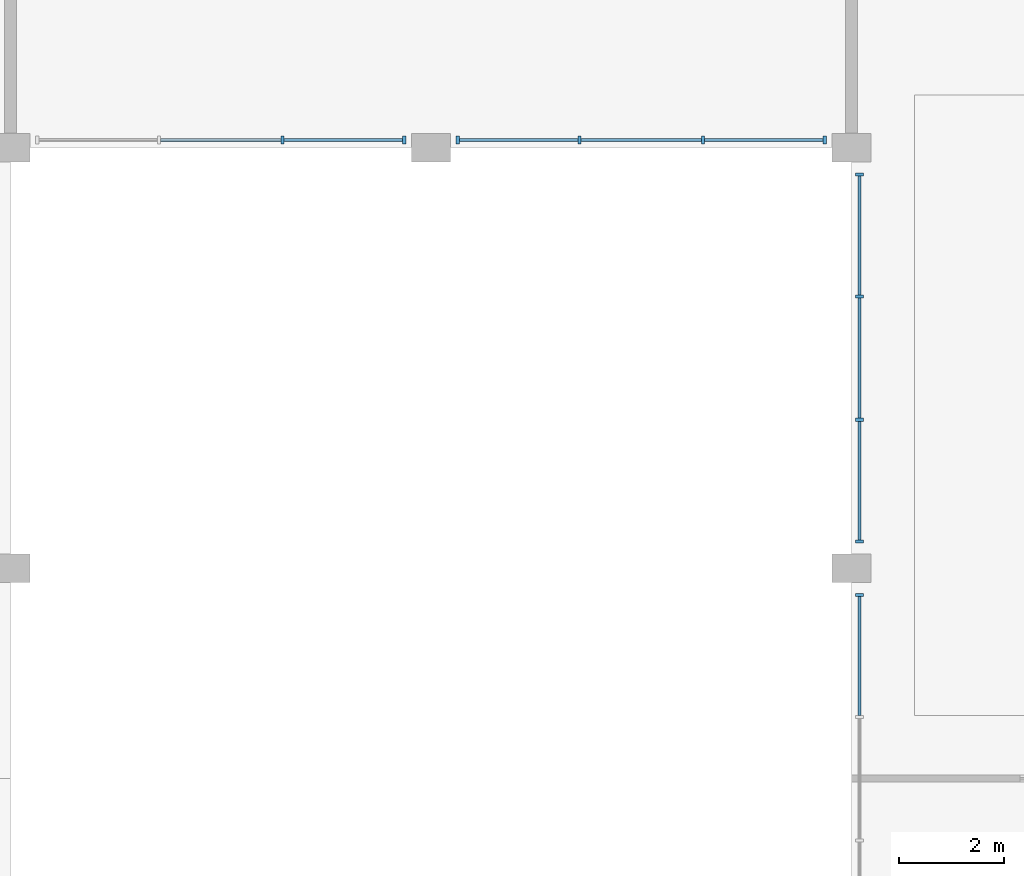
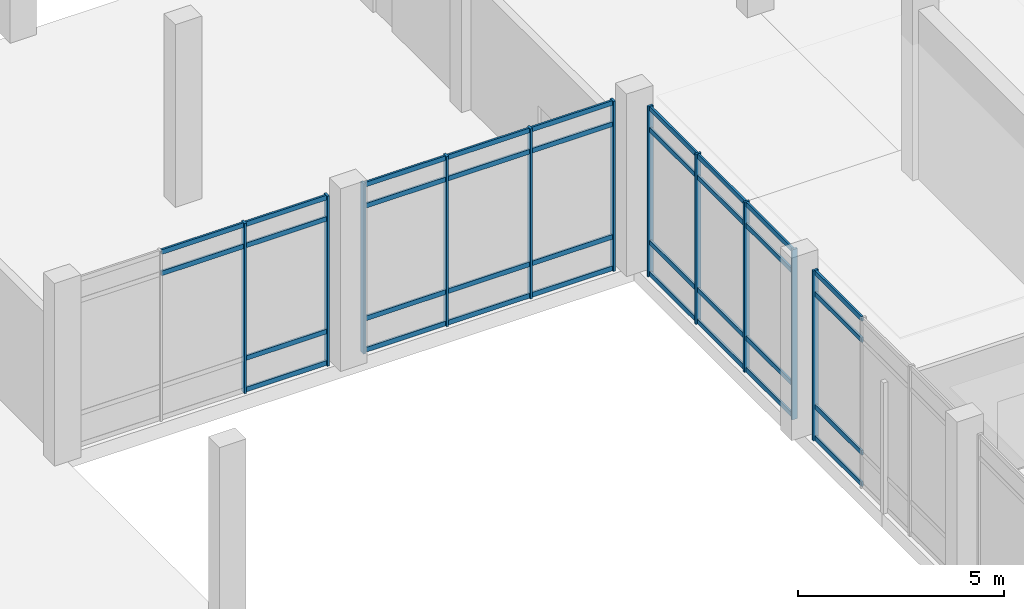
# One storey, part 9 of 42: 45 members, 4 elements without a shape of their own.
"""IFC4 building model written with IfcOpenShell, lengths in metres."""

from ifc_helpers import new_model, si_unit, direction, frame, origin, origin_2d, place, context, subcontext, project, spatial, rectangle, extrude, material, material_profile, profile_set, type_object, element, aggregate, save


model = new_model("IFC4")

# Units and contexts
model_context = context("Model", 3, precision=1e-05, world=origin(), true_north=direction((0.0, 1.0)))
body_context = subcontext(model_context, "Body", "Model", "MODEL_VIEW")
ifc_project = project(units=[si_unit("LENGTHUNIT", "METRE"), si_unit("AREAUNIT", "SQUARE_METRE"), si_unit("VOLUMEUNIT", "CUBIC_METRE"), si_unit("PLANEANGLEUNIT", "RADIAN"), si_unit("MASSUNIT", "GRAM", prefix="KILO")], contexts=[model_context])

# Site, building, storey
site_placement = place(None, origin())
site = spatial("IfcSite", under=ifc_project, at=site_placement, CompositionType="ELEMENT")
building_placement = place(site_placement, origin())
building = spatial("IfcBuilding", under=site, at=building_placement, Name="Pecanmere Concourse Central Library", CompositionType="ELEMENT")
storey_placement = place(building_placement, origin())
storey = spatial("IfcBuildingStorey", under=building, at=storey_placement, Name="L01", CompositionType="ELEMENT", Elevation=0.0)

# Curtain wall, member
ifc_material_1 = material(Name="Clear anodized aluminium alloy 6063-T6", Category="aluminium")
curtain_wall_type = type_object("IfcCurtainWallType", Name="CW_CLOISTER_GLAZ", PredefinedType="USERDEFINED", material=ifc_material_1)
curtain_wall_1_placement = place(storey_placement, origin())
curtain_wall_1 = element("IfcCurtainWall", 1, at=curtain_wall_1_placement, inside=storey, type_object=curtain_wall_type, Name="Unitised Curtain Wall CW-04 L01-104", ObjectType="UNITISED CURTAIN WALL", PredefinedType="USERDEFINED")
ifc_material_2 = material(Name="Clear anodized aluminium alloy 6063-T6", Category="aluminium")
ifc_material_profile_1 = material_profile(ifc_material_2, rectangle(XDim=0.06005859375, YDim=0.14990234375, at=origin_2d()), Name="AL 60x150")
ifc_profile_set_1 = profile_set([ifc_material_profile_1], Name="Clear anodized aluminium alloy 6063-T6")
member_type_1 = type_object("IfcMemberType", Name="CWM_150x60", PredefinedType="MULLION", material=ifc_profile_set_1)
member_1_placement = place(storey_placement, frame((48.14990234375, 81.489990234375, 0.0), z_axis=(0.0, 0.0, 1.0), x_axis=(0.0, -1.0, 0.0)))
member_1 = element("IfcMember", 2, at=member_1_placement, type_object=member_type_1, Name="CW-04 Mullion 1", PredefinedType="MULLION", context=body_context, shape_type="SweptSolid", body=[
    extrude(rectangle(XDim=0.06005859375, YDim=0.14990234375, at=origin_2d()), origin(), (0.0, 0.0, 1.0), 5.030029296875),
])

# Curtain wall, members
curtain_wall_2_placement = place(storey_placement, origin())
curtain_wall_2 = element("IfcCurtainWall", 3, at=curtain_wall_2_placement, inside=storey, type_object=curtain_wall_type, Name="Unitised Curtain Wall CW-04 L01-106", ObjectType="UNITISED CURTAIN WALL", PredefinedType="USERDEFINED")
member_2_placement = place(storey_placement, frame((48.14990234375, 89.489990234375, 0.0), z_axis=(0.0, 0.0, 1.0), x_axis=(0.0, -1.0, 0.0)))
member_2 = element("IfcMember", 4, at=member_2_placement, type_object=member_type_1, Name="CW-04 Mullion 1", PredefinedType="MULLION", context=body_context, shape_type="SweptSolid", body=[
    extrude(rectangle(XDim=0.06005859375, YDim=0.14990234375, at=origin_2d()), origin(), (0.0, 0.0, 1.0), 5.030029296875),
])
member_3_placement = place(storey_placement, frame((48.14990234375, 87.17333984375, 0.0), z_axis=(0.0, 0.0, 1.0), x_axis=(0.0, -1.0, 0.0)))
member_3 = element("IfcMember", 5, at=member_3_placement, type_object=member_type_1, Name="CW-04 Mullion 2", PredefinedType="MULLION", context=body_context, shape_type="SweptSolid", body=[
    extrude(rectangle(XDim=0.06005859375, YDim=0.14990234375, at=origin_2d()), origin(), (0.0, 0.0, 1.0), 5.030029296875),
])
member_4_placement = place(storey_placement, frame((48.14990234375, 84.82666015625, 0.0), z_axis=(0.0, 0.0, 1.0), x_axis=(0.0, -1.0, 0.0)))
member_4 = element("IfcMember", 6, at=member_4_placement, type_object=member_type_1, Name="CW-04 Mullion 3", PredefinedType="MULLION", context=body_context, shape_type="SweptSolid", body=[
    extrude(rectangle(XDim=0.06005859375, YDim=0.14990234375, at=origin_2d()), origin(), (0.0, 0.0, 1.0), 5.030029296875),
])
member_5_placement = place(storey_placement, frame((48.14990234375, 82.510009765625, 0.0), z_axis=(0.0, 0.0, 1.0), x_axis=(0.0, -1.0, 0.0)))
member_5 = element("IfcMember", 7, at=member_5_placement, type_object=member_type_1, Name="CW-04 Mullion 4", PredefinedType="MULLION", context=body_context, shape_type="SweptSolid", body=[
    extrude(rectangle(XDim=0.06005859375, YDim=0.14990234375, at=origin_2d()), origin(), (0.0, 0.0, 1.0), 5.030029296875),
])

curtain_wall_3_placement = place(storey_placement, origin())
curtain_wall_3 = element("IfcCurtainWall", 8, at=curtain_wall_3_placement, inside=storey, type_object=curtain_wall_type, Name="Unitised Curtain Wall CW-04 L01-112", ObjectType="UNITISED CURTAIN WALL", PredefinedType="USERDEFINED")
member_6_placement = place(storey_placement, frame((39.489990234375, 90.14990234375, 0.0), z_axis=(0.0, 0.0, 1.0), x_axis=(-1.0, 0.0, 0.0)))
member_6 = element("IfcMember", 9, at=member_6_placement, type_object=member_type_1, Name="CW-04 Mullion 1", PredefinedType="MULLION", context=body_context, shape_type="SweptSolid", body=[
    extrude(rectangle(XDim=0.06005859375, YDim=0.14990234375, at=origin_2d()), origin(), (0.0, 0.0, 1.0), 5.030029296875),
])
member_7_placement = place(storey_placement, frame((37.17333984375, 90.14990234375, 0.0), z_axis=(0.0, 0.0, 1.0), x_axis=(-1.0, 0.0, 0.0)))
member_7 = element("IfcMember", 10, at=member_7_placement, type_object=member_type_1, Name="CW-04 Mullion 2", PredefinedType="MULLION", context=body_context, shape_type="SweptSolid", body=[
    extrude(rectangle(XDim=0.06005859375, YDim=0.14990234375, at=origin_2d()), origin(), (0.0, 0.0, 1.0), 5.030029296875),
])

curtain_wall_4_placement = place(storey_placement, origin())
curtain_wall_4 = element("IfcCurtainWall", 11, at=curtain_wall_4_placement, inside=storey, type_object=curtain_wall_type, Name="Unitised Curtain Wall CW-04 L01-114", ObjectType="UNITISED CURTAIN WALL", PredefinedType="USERDEFINED")
member_8_placement = place(storey_placement, frame((47.489990234375, 90.14990234375, 0.0), z_axis=(0.0, 0.0, 1.0), x_axis=(-1.0, 0.0, 0.0)))
member_8 = element("IfcMember", 12, at=member_8_placement, type_object=member_type_1, Name="CW-04 Mullion 1", PredefinedType="MULLION", context=body_context, shape_type="SweptSolid", body=[
    extrude(rectangle(XDim=0.06005859375, YDim=0.14990234375, at=origin_2d()), origin(), (0.0, 0.0, 1.0), 5.030029296875),
])
member_9_placement = place(storey_placement, frame((45.17333984375, 90.14990234375, 0.0), z_axis=(0.0, 0.0, 1.0), x_axis=(-1.0, 0.0, 0.0)))
member_9 = element("IfcMember", 13, at=member_9_placement, type_object=member_type_1, Name="CW-04 Mullion 2", PredefinedType="MULLION", context=body_context, shape_type="SweptSolid", body=[
    extrude(rectangle(XDim=0.06005859375, YDim=0.14990234375, at=origin_2d()), origin(), (0.0, 0.0, 1.0), 5.030029296875),
])
member_10_placement = place(storey_placement, frame((42.82666015625, 90.14990234375, 0.0), z_axis=(0.0, 0.0, 1.0), x_axis=(-1.0, 0.0, 0.0)))
member_10 = element("IfcMember", 14, at=member_10_placement, type_object=member_type_1, Name="CW-04 Mullion 3", PredefinedType="MULLION", context=body_context, shape_type="SweptSolid", body=[
    extrude(rectangle(XDim=0.06005859375, YDim=0.14990234375, at=origin_2d()), origin(), (0.0, 0.0, 1.0), 5.030029296875),
])
member_11_placement = place(storey_placement, frame((40.510009765625, 90.14990234375, 0.0), z_axis=(0.0, 0.0, 1.0), x_axis=(-1.0, 0.0, 0.0)))
member_11 = element("IfcMember", 15, at=member_11_placement, type_object=member_type_1, Name="CW-04 Mullion 4", PredefinedType="MULLION", context=body_context, shape_type="SweptSolid", body=[
    extrude(rectangle(XDim=0.06005859375, YDim=0.14990234375, at=origin_2d()), origin(), (0.0, 0.0, 1.0), 5.030029296875),
])

# Member
ifc_material_3 = material(Name="Clear anodized aluminium alloy 6063-T6", Category="aluminium")
ifc_material_profile_2 = material_profile(ifc_material_3, rectangle(XDim=0.054931640625, YDim=0.139892578125, at=origin_2d()), Name="AL 55x140")
ifc_profile_set_2 = profile_set([ifc_material_profile_2], Name="Clear anodized aluminium alloy 6063-T6")
member_type_2 = type_object("IfcMemberType", Name="CWT_140x55", PredefinedType="USERDEFINED", material=ifc_profile_set_2)
member_12_placement = place(storey_placement, frame((48.14990234375, 81.4599609375, 0.070068359375), z_axis=(0.0, -1.0, 0.0), x_axis=(1.0, 0.0, 0.0)))
member_12 = element("IfcMember", 16, at=member_12_placement, type_object=member_type_2, Name="CW-04 Transom 1.1", ObjectType="TRANSOM", PredefinedType="USERDEFINED", context=body_context, shape_type="SweptSolid", body=[
    extrude(rectangle(XDim=0.054931640625, YDim=0.139892578125, at=origin_2d()), origin(), (0.0, 0.0, 1.0), 2.256591796875),
])

member_13_placement = place(storey_placement, frame((48.14990234375, 81.4599609375, 1.0), z_axis=(0.0, -1.0, 0.0), x_axis=(1.0, 0.0, 0.0)))
member_13 = element("IfcMember", 17, at=member_13_placement, type_object=member_type_2, Name="CW-04 Transom 1.2", ObjectType="TRANSOM", PredefinedType="USERDEFINED", context=body_context, shape_type="SweptSolid", body=[
    extrude(rectangle(XDim=0.054931640625, YDim=0.139892578125, at=origin_2d()), origin(), (0.0, 0.0, 1.0), 2.256591796875),
])

member_14_placement = place(storey_placement, frame((48.14990234375, 81.4599609375, 4.330078125), z_axis=(0.0, -1.0, 0.0), x_axis=(1.0, 0.0, 0.0)))
member_14 = element("IfcMember", 18, at=member_14_placement, type_object=member_type_2, Name="CW-04 Transom 1.3", ObjectType="TRANSOM", PredefinedType="USERDEFINED", context=body_context, shape_type="SweptSolid", body=[
    extrude(rectangle(XDim=0.054931640625, YDim=0.139892578125, at=origin_2d()), origin(), (0.0, 0.0, 1.0), 2.256591796875),
])

member_15_placement = place(storey_placement, frame((48.14990234375, 81.4599609375, 4.9599609375), z_axis=(0.0, -1.0, 0.0), x_axis=(1.0, 0.0, 0.0)))
member_15 = element("IfcMember", 19, at=member_15_placement, type_object=member_type_2, Name="CW-04 Transom 1.4", ObjectType="TRANSOM", PredefinedType="USERDEFINED", context=body_context, shape_type="SweptSolid", body=[
    extrude(rectangle(XDim=0.054931640625, YDim=0.139892578125, at=origin_2d()), origin(), (0.0, 0.0, 1.0), 2.256591796875),
])

aggregate(curtain_wall_1, [member_1, member_12, member_13, member_14, member_15])

member_16_placement = place(storey_placement, frame((48.14990234375, 89.4599609375, 0.070068359375), z_axis=(0.0, -1.0, 0.0), x_axis=(1.0, 0.0, 0.0)))
member_16 = element("IfcMember", 20, at=member_16_placement, type_object=member_type_2, Name="CW-04 Transom 1.1", ObjectType="TRANSOM", PredefinedType="USERDEFINED", context=body_context, shape_type="SweptSolid", body=[
    extrude(rectangle(XDim=0.054931640625, YDim=0.139892578125, at=origin_2d()), origin(), (0.0, 0.0, 1.0), 2.256591796875),
])

member_17_placement = place(storey_placement, frame((48.14990234375, 89.4599609375, 1.0), z_axis=(0.0, -1.0, 0.0), x_axis=(1.0, 0.0, 0.0)))
member_17 = element("IfcMember", 21, at=member_17_placement, type_object=member_type_2, Name="CW-04 Transom 1.2", ObjectType="TRANSOM", PredefinedType="USERDEFINED", context=body_context, shape_type="SweptSolid", body=[
    extrude(rectangle(XDim=0.054931640625, YDim=0.139892578125, at=origin_2d()), origin(), (0.0, 0.0, 1.0), 2.256591796875),
])

member_18_placement = place(storey_placement, frame((48.14990234375, 89.4599609375, 4.330078125), z_axis=(0.0, -1.0, 0.0), x_axis=(1.0, 0.0, 0.0)))
member_18 = element("IfcMember", 22, at=member_18_placement, type_object=member_type_2, Name="CW-04 Transom 1.3", ObjectType="TRANSOM", PredefinedType="USERDEFINED", context=body_context, shape_type="SweptSolid", body=[
    extrude(rectangle(XDim=0.054931640625, YDim=0.139892578125, at=origin_2d()), origin(), (0.0, 0.0, 1.0), 2.256591796875),
])

member_19_placement = place(storey_placement, frame((48.14990234375, 89.4599609375, 4.9599609375), z_axis=(0.0, -1.0, 0.0), x_axis=(1.0, 0.0, 0.0)))
member_19 = element("IfcMember", 23, at=member_19_placement, type_object=member_type_2, Name="CW-04 Transom 1.4", ObjectType="TRANSOM", PredefinedType="USERDEFINED", context=body_context, shape_type="SweptSolid", body=[
    extrude(rectangle(XDim=0.054931640625, YDim=0.139892578125, at=origin_2d()), origin(), (0.0, 0.0, 1.0), 2.256591796875),
])

member_20_placement = place(storey_placement, frame((48.14990234375, 87.143310546875, 0.070068359375), z_axis=(0.0, -1.0, 0.0), x_axis=(1.0, 0.0, 0.0)))
member_20 = element("IfcMember", 24, at=member_20_placement, type_object=member_type_2, Name="CW-04 Transom 2.1", ObjectType="TRANSOM", PredefinedType="USERDEFINED", context=body_context, shape_type="SweptSolid", body=[
    extrude(rectangle(XDim=0.054931640625, YDim=0.139892578125, at=origin_2d()), origin(), (0.0, 0.0, 1.0), 2.28662109375),
])

member_21_placement = place(storey_placement, frame((48.14990234375, 87.143310546875, 1.0), z_axis=(0.0, -1.0, 0.0), x_axis=(1.0, 0.0, 0.0)))
member_21 = element("IfcMember", 25, at=member_21_placement, type_object=member_type_2, Name="CW-04 Transom 2.2", ObjectType="TRANSOM", PredefinedType="USERDEFINED", context=body_context, shape_type="SweptSolid", body=[
    extrude(rectangle(XDim=0.054931640625, YDim=0.139892578125, at=origin_2d()), origin(), (0.0, 0.0, 1.0), 2.28662109375),
])

member_22_placement = place(storey_placement, frame((48.14990234375, 87.143310546875, 4.330078125), z_axis=(0.0, -1.0, 0.0), x_axis=(1.0, 0.0, 0.0)))
member_22 = element("IfcMember", 26, at=member_22_placement, type_object=member_type_2, Name="CW-04 Transom 2.3", ObjectType="TRANSOM", PredefinedType="USERDEFINED", context=body_context, shape_type="SweptSolid", body=[
    extrude(rectangle(XDim=0.054931640625, YDim=0.139892578125, at=origin_2d()), origin(), (0.0, 0.0, 1.0), 2.28662109375),
])

member_23_placement = place(storey_placement, frame((48.14990234375, 87.143310546875, 4.9599609375), z_axis=(0.0, -1.0, 0.0), x_axis=(1.0, 0.0, 0.0)))
member_23 = element("IfcMember", 27, at=member_23_placement, type_object=member_type_2, Name="CW-04 Transom 2.4", ObjectType="TRANSOM", PredefinedType="USERDEFINED", context=body_context, shape_type="SweptSolid", body=[
    extrude(rectangle(XDim=0.054931640625, YDim=0.139892578125, at=origin_2d()), origin(), (0.0, 0.0, 1.0), 2.28662109375),
])

member_24_placement = place(storey_placement, frame((48.14990234375, 84.796630859375, 0.070068359375), z_axis=(0.0, -1.0, 0.0), x_axis=(1.0, 0.0, 0.0)))
member_24 = element("IfcMember", 28, at=member_24_placement, type_object=member_type_2, Name="CW-04 Transom 3.1", ObjectType="TRANSOM", PredefinedType="USERDEFINED", context=body_context, shape_type="SweptSolid", body=[
    extrude(rectangle(XDim=0.054931640625, YDim=0.139892578125, at=origin_2d()), origin(), (0.0, 0.0, 1.0), 2.256591796875),
])

member_25_placement = place(storey_placement, frame((48.14990234375, 84.796630859375, 1.0), z_axis=(0.0, -1.0, 0.0), x_axis=(1.0, 0.0, 0.0)))
member_25 = element("IfcMember", 29, at=member_25_placement, type_object=member_type_2, Name="CW-04 Transom 3.2", ObjectType="TRANSOM", PredefinedType="USERDEFINED", context=body_context, shape_type="SweptSolid", body=[
    extrude(rectangle(XDim=0.054931640625, YDim=0.139892578125, at=origin_2d()), origin(), (0.0, 0.0, 1.0), 2.256591796875),
])

member_26_placement = place(storey_placement, frame((48.14990234375, 84.796630859375, 4.330078125), z_axis=(0.0, -1.0, 0.0), x_axis=(1.0, 0.0, 0.0)))
member_26 = element("IfcMember", 30, at=member_26_placement, type_object=member_type_2, Name="CW-04 Transom 3.3", ObjectType="TRANSOM", PredefinedType="USERDEFINED", context=body_context, shape_type="SweptSolid", body=[
    extrude(rectangle(XDim=0.054931640625, YDim=0.139892578125, at=origin_2d()), origin(), (0.0, 0.0, 1.0), 2.256591796875),
])

member_27_placement = place(storey_placement, frame((48.14990234375, 84.796630859375, 4.9599609375), z_axis=(0.0, -1.0, 0.0), x_axis=(1.0, 0.0, 0.0)))
member_27 = element("IfcMember", 31, at=member_27_placement, type_object=member_type_2, Name="CW-04 Transom 3.4", ObjectType="TRANSOM", PredefinedType="USERDEFINED", context=body_context, shape_type="SweptSolid", body=[
    extrude(rectangle(XDim=0.054931640625, YDim=0.139892578125, at=origin_2d()), origin(), (0.0, 0.0, 1.0), 2.256591796875),
])

aggregate(curtain_wall_2, [member_2, member_3, member_4, member_5, member_16, member_17, member_18, member_19, member_20, member_21, member_22, member_23, member_24, member_25, member_26, member_27])

member_28_placement = place(storey_placement, frame((39.4599609375, 90.14990234375, 0.070068359375), z_axis=(-1.0, 0.0, 0.0), x_axis=(0.0, -1.0, 0.0)))
member_28 = element("IfcMember", 32, at=member_28_placement, type_object=member_type_2, Name="CW-04 Transom 1.1", ObjectType="TRANSOM", PredefinedType="USERDEFINED", context=body_context, shape_type="SweptSolid", body=[
    extrude(rectangle(XDim=0.054931640625, YDim=0.139892578125, at=origin_2d()), origin(), (0.0, 0.0, 1.0), 2.256591796875),
])

member_29_placement = place(storey_placement, frame((39.4599609375, 90.14990234375, 1.0), z_axis=(-1.0, 0.0, 0.0), x_axis=(0.0, -1.0, 0.0)))
member_29 = element("IfcMember", 33, at=member_29_placement, type_object=member_type_2, Name="CW-04 Transom 1.2", ObjectType="TRANSOM", PredefinedType="USERDEFINED", context=body_context, shape_type="SweptSolid", body=[
    extrude(rectangle(XDim=0.054931640625, YDim=0.139892578125, at=origin_2d()), origin(), (0.0, 0.0, 1.0), 2.256591796875),
])

member_30_placement = place(storey_placement, frame((39.4599609375, 90.14990234375, 4.330078125), z_axis=(-1.0, 0.0, 0.0), x_axis=(0.0, -1.0, 0.0)))
member_30 = element("IfcMember", 34, at=member_30_placement, type_object=member_type_2, Name="CW-04 Transom 1.3", ObjectType="TRANSOM", PredefinedType="USERDEFINED", context=body_context, shape_type="SweptSolid", body=[
    extrude(rectangle(XDim=0.054931640625, YDim=0.139892578125, at=origin_2d()), origin(), (0.0, 0.0, 1.0), 2.256591796875),
])

member_31_placement = place(storey_placement, frame((39.4599609375, 90.14990234375, 4.9599609375), z_axis=(-1.0, 0.0, 0.0), x_axis=(0.0, -1.0, 0.0)))
member_31 = element("IfcMember", 35, at=member_31_placement, type_object=member_type_2, Name="CW-04 Transom 1.4", ObjectType="TRANSOM", PredefinedType="USERDEFINED", context=body_context, shape_type="SweptSolid", body=[
    extrude(rectangle(XDim=0.054931640625, YDim=0.139892578125, at=origin_2d()), origin(), (0.0, 0.0, 1.0), 2.256591796875),
])

member_32_placement = place(storey_placement, frame((37.143310546875, 90.14990234375, 4.330078125), z_axis=(-1.0, 0.0, 0.0), x_axis=(0.0, -1.0, 0.0)))
member_32 = element("IfcMember", 36, at=member_32_placement, type_object=member_type_2, Name="CW-04 Transom 2.3", ObjectType="TRANSOM", PredefinedType="USERDEFINED", context=body_context, shape_type="SweptSolid", body=[
    extrude(rectangle(XDim=0.054931640625, YDim=0.139892578125, at=origin_2d()), origin(), (0.0, 0.0, 1.0), 2.28662109375),
])

member_33_placement = place(storey_placement, frame((37.143310546875, 90.14990234375, 4.9599609375), z_axis=(-1.0, 0.0, 0.0), x_axis=(0.0, -1.0, 0.0)))
member_33 = element("IfcMember", 37, at=member_33_placement, type_object=member_type_2, Name="CW-04 Transom 2.4", ObjectType="TRANSOM", PredefinedType="USERDEFINED", context=body_context, shape_type="SweptSolid", body=[
    extrude(rectangle(XDim=0.054931640625, YDim=0.139892578125, at=origin_2d()), origin(), (0.0, 0.0, 1.0), 2.28662109375),
])

aggregate(curtain_wall_3, [member_6, member_7, member_28, member_29, member_30, member_31, member_32, member_33])

member_34_placement = place(storey_placement, frame((47.4599609375, 90.14990234375, 0.070068359375), z_axis=(-1.0, 0.0, 0.0), x_axis=(0.0, -1.0, 0.0)))
member_34 = element("IfcMember", 38, at=member_34_placement, type_object=member_type_2, Name="CW-04 Transom 1.1", ObjectType="TRANSOM", PredefinedType="USERDEFINED", context=body_context, shape_type="SweptSolid", body=[
    extrude(rectangle(XDim=0.054931640625, YDim=0.139892578125, at=origin_2d()), origin(), (0.0, 0.0, 1.0), 2.256591796875),
])

member_35_placement = place(storey_placement, frame((47.4599609375, 90.14990234375, 1.0), z_axis=(-1.0, 0.0, 0.0), x_axis=(0.0, -1.0, 0.0)))
member_35 = element("IfcMember", 39, at=member_35_placement, type_object=member_type_2, Name="CW-04 Transom 1.2", ObjectType="TRANSOM", PredefinedType="USERDEFINED", context=body_context, shape_type="SweptSolid", body=[
    extrude(rectangle(XDim=0.054931640625, YDim=0.139892578125, at=origin_2d()), origin(), (0.0, 0.0, 1.0), 2.256591796875),
])

member_36_placement = place(storey_placement, frame((47.4599609375, 90.14990234375, 4.330078125), z_axis=(-1.0, 0.0, 0.0), x_axis=(0.0, -1.0, 0.0)))
member_36 = element("IfcMember", 40, at=member_36_placement, type_object=member_type_2, Name="CW-04 Transom 1.3", ObjectType="TRANSOM", PredefinedType="USERDEFINED", context=body_context, shape_type="SweptSolid", body=[
    extrude(rectangle(XDim=0.054931640625, YDim=0.139892578125, at=origin_2d()), origin(), (0.0, 0.0, 1.0), 2.256591796875),
])

member_37_placement = place(storey_placement, frame((47.4599609375, 90.14990234375, 4.9599609375), z_axis=(-1.0, 0.0, 0.0), x_axis=(0.0, -1.0, 0.0)))
member_37 = element("IfcMember", 41, at=member_37_placement, type_object=member_type_2, Name="CW-04 Transom 1.4", ObjectType="TRANSOM", PredefinedType="USERDEFINED", context=body_context, shape_type="SweptSolid", body=[
    extrude(rectangle(XDim=0.054931640625, YDim=0.139892578125, at=origin_2d()), origin(), (0.0, 0.0, 1.0), 2.256591796875),
])

member_38_placement = place(storey_placement, frame((45.143310546875, 90.14990234375, 0.070068359375), z_axis=(-1.0, 0.0, 0.0), x_axis=(0.0, -1.0, 0.0)))
member_38 = element("IfcMember", 42, at=member_38_placement, type_object=member_type_2, Name="CW-04 Transom 2.1", ObjectType="TRANSOM", PredefinedType="USERDEFINED", context=body_context, shape_type="SweptSolid", body=[
    extrude(rectangle(XDim=0.054931640625, YDim=0.139892578125, at=origin_2d()), origin(), (0.0, 0.0, 1.0), 2.28662109375),
])

member_39_placement = place(storey_placement, frame((45.143310546875, 90.14990234375, 1.0), z_axis=(-1.0, 0.0, 0.0), x_axis=(0.0, -1.0, 0.0)))
member_39 = element("IfcMember", 43, at=member_39_placement, type_object=member_type_2, Name="CW-04 Transom 2.2", ObjectType="TRANSOM", PredefinedType="USERDEFINED", context=body_context, shape_type="SweptSolid", body=[
    extrude(rectangle(XDim=0.054931640625, YDim=0.139892578125, at=origin_2d()), origin(), (0.0, 0.0, 1.0), 2.28662109375),
])

member_40_placement = place(storey_placement, frame((45.143310546875, 90.14990234375, 4.330078125), z_axis=(-1.0, 0.0, 0.0), x_axis=(0.0, -1.0, 0.0)))
member_40 = element("IfcMember", 44, at=member_40_placement, type_object=member_type_2, Name="CW-04 Transom 2.3", ObjectType="TRANSOM", PredefinedType="USERDEFINED", context=body_context, shape_type="SweptSolid", body=[
    extrude(rectangle(XDim=0.054931640625, YDim=0.139892578125, at=origin_2d()), origin(), (0.0, 0.0, 1.0), 2.28662109375),
])

member_41_placement = place(storey_placement, frame((45.143310546875, 90.14990234375, 4.9599609375), z_axis=(-1.0, 0.0, 0.0), x_axis=(0.0, -1.0, 0.0)))
member_41 = element("IfcMember", 45, at=member_41_placement, type_object=member_type_2, Name="CW-04 Transom 2.4", ObjectType="TRANSOM", PredefinedType="USERDEFINED", context=body_context, shape_type="SweptSolid", body=[
    extrude(rectangle(XDim=0.054931640625, YDim=0.139892578125, at=origin_2d()), origin(), (0.0, 0.0, 1.0), 2.28662109375),
])

member_42_placement = place(storey_placement, frame((42.796630859375, 90.14990234375, 0.070068359375), z_axis=(-1.0, 0.0, 0.0), x_axis=(0.0, -1.0, 0.0)))
member_42 = element("IfcMember", 46, at=member_42_placement, type_object=member_type_2, Name="CW-04 Transom 3.1", ObjectType="TRANSOM", PredefinedType="USERDEFINED", context=body_context, shape_type="SweptSolid", body=[
    extrude(rectangle(XDim=0.054931640625, YDim=0.139892578125, at=origin_2d()), origin(), (0.0, 0.0, 1.0), 2.256591796875),
])

member_43_placement = place(storey_placement, frame((42.796630859375, 90.14990234375, 1.0), z_axis=(-1.0, 0.0, 0.0), x_axis=(0.0, -1.0, 0.0)))
member_43 = element("IfcMember", 47, at=member_43_placement, type_object=member_type_2, Name="CW-04 Transom 3.2", ObjectType="TRANSOM", PredefinedType="USERDEFINED", context=body_context, shape_type="SweptSolid", body=[
    extrude(rectangle(XDim=0.054931640625, YDim=0.139892578125, at=origin_2d()), origin(), (0.0, 0.0, 1.0), 2.256591796875),
])

member_44_placement = place(storey_placement, frame((42.796630859375, 90.14990234375, 4.330078125), z_axis=(-1.0, 0.0, 0.0), x_axis=(0.0, -1.0, 0.0)))
member_44 = element("IfcMember", 48, at=member_44_placement, type_object=member_type_2, Name="CW-04 Transom 3.3", ObjectType="TRANSOM", PredefinedType="USERDEFINED", context=body_context, shape_type="SweptSolid", body=[
    extrude(rectangle(XDim=0.054931640625, YDim=0.139892578125, at=origin_2d()), origin(), (0.0, 0.0, 1.0), 2.256591796875),
])

member_45_placement = place(storey_placement, frame((42.796630859375, 90.14990234375, 4.9599609375), z_axis=(-1.0, 0.0, 0.0), x_axis=(0.0, -1.0, 0.0)))
member_45 = element("IfcMember", 49, at=member_45_placement, type_object=member_type_2, Name="CW-04 Transom 3.4", ObjectType="TRANSOM", PredefinedType="USERDEFINED", context=body_context, shape_type="SweptSolid", body=[
    extrude(rectangle(XDim=0.054931640625, YDim=0.139892578125, at=origin_2d()), origin(), (0.0, 0.0, 1.0), 2.256591796875),
])

aggregate(curtain_wall_4, [member_8, member_9, member_10, member_11, member_34, member_35, member_36, member_37, member_38, member_39, member_40, member_41, member_42, member_43, member_44, member_45])

save(model, "model.ifc")
